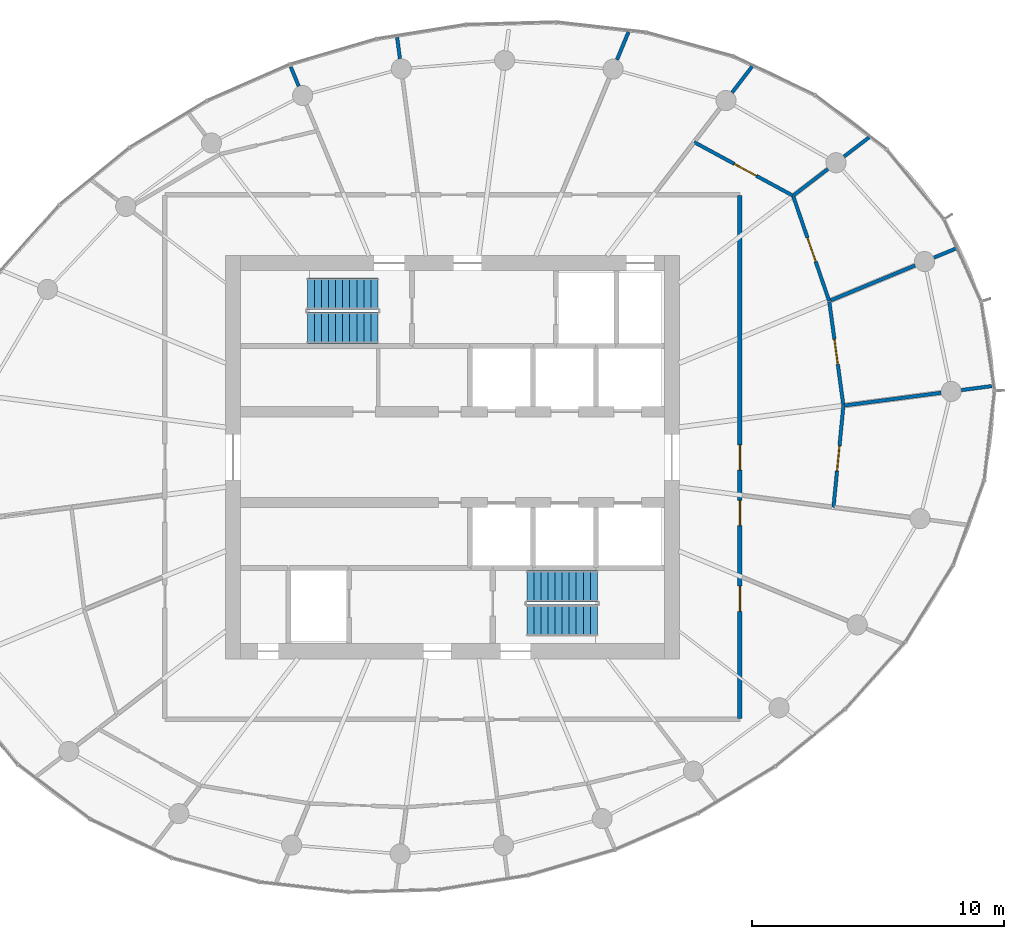
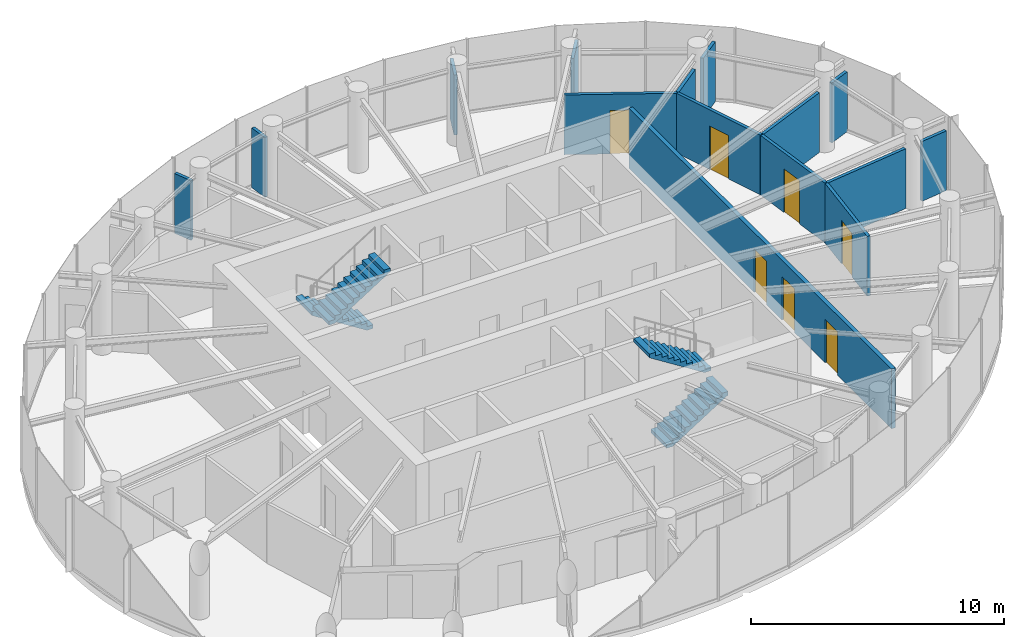
# One storey, part 11 of 13: 15 walls, 7 doors, 4 stair flights, 7 openings, 2 elements without a shape of their own.
"""IFC4 building model written with IfcOpenShell, lengths in metres."""

from ifc_helpers import new_model, si_unit, direction, frame, frame_2d, origin, place, context, subcontext, project, spatial, line, indexed_curve, rectangle, outline, extrude, source, transform, mapped, material, layer, layer_set, type_object, element, fill, aggregate, save


model = new_model("IFC4")

# Units and contexts
model_context = context("Model", 3, precision=1e-05, world=origin(), true_north=direction((0.0, 1.0)))
body_context = subcontext(model_context, "Body", "Model", "MODEL_VIEW")
ifc_project = project(units=[si_unit("LENGTHUNIT", "METRE"), si_unit("AREAUNIT", "SQUARE_METRE"), si_unit("VOLUMEUNIT", "CUBIC_METRE"), si_unit("PLANEANGLEUNIT", "RADIAN"), si_unit("MASSUNIT", "GRAM", prefix="KILO")], contexts=[model_context])

# Site, building, storey
site_placement = place(None, origin())
site = spatial("IfcSite", under=ifc_project, at=site_placement, CompositionType="ELEMENT")
building_placement = place(site_placement, origin())
building = spatial("IfcBuilding", under=site, at=building_placement, Name="Spindrift Exchange Tower", CompositionType="ELEMENT")
storey_placement = place(building_placement, frame((0.0, 0.0, 254.0)))
storey = spatial("IfcBuildingStorey", under=building, at=storey_placement, Name="L62", CompositionType="ELEMENT", Elevation=254.0)

# Wall, openings, doors
ifc_material_1 = material(Name="Fire-rated plasterboard partition", Category="gypsum")
ifc_layer_1 = layer(ifc_material_1, 0.179931640625)
ifc_layer_set_1 = layer_set([ifc_layer_1], Name="W-CORR-180")
wall_type_1 = type_object("IfcWallType", Name="W-CORR-180", PredefinedType="PARTITIONING", material=ifc_layer_set_1)
wall_1_placement = place(storey_placement, frame((63.39990234375, 58.3701171875, 0.0), z_axis=(0.0, 0.0, 1.0), x_axis=(0.0, -1.0, 0.0)))
wall_1 = element("IfcWall", 1, at=wall_1_placement, inside=storey, type_object=wall_type_1, Name="L62 Partition wall 29", PredefinedType="PARTITIONING", context=body_context, shape_type="SweptSolid", body=[
    extrude(rectangle(XDim=20.740234375, YDim=0.179931640625, at=frame_2d((10.3701171875, 0.0))), origin(), (0.0, 0.0, 1.0), 2.8798828125),
])
opening_1_placement = place(wall_1_placement, frame((15.489990234375, 0.0, 0.0)))
opening_1 = element("IfcOpeningElement", 2, at=opening_1_placement, cuts=wall_1, Name="Opening L62-D30", PredefinedType="OPENING", context=body_context, shape_type="SweptSolid", body=[
    extrude(rectangle(XDim=1.0, YDim=2.10009765625, at=frame_2d((0.5, 1.050048828125))), frame((0.0, 0.099853515625, 0.0), z_axis=(0.0, -1.0, 0.0), x_axis=(1.0, 0.0, 0.0)), (0.0, 0.0, 1.0), 0.199951171875),
])
opening_2_placement = place(wall_1_placement, frame((12.090087890625, 0.0, 0.0)))
opening_2 = element("IfcOpeningElement", 3, at=opening_2_placement, cuts=wall_1, Name="Opening L62-D31", PredefinedType="OPENING", context=body_context, shape_type="SweptSolid", body=[
    extrude(rectangle(XDim=1.0, YDim=2.10009765625, at=frame_2d((0.5, 1.050048828125))), frame((0.0, 0.099853515625, 0.0), z_axis=(0.0, -1.0, 0.0), x_axis=(1.0, 0.0, 0.0)), (0.0, 0.0, 1.0), 0.199951171875),
])
opening_3_placement = place(wall_1_placement, frame((9.889892578125, 0.0, 0.0)))
opening_3 = element("IfcOpeningElement", 4, at=opening_3_placement, cuts=wall_1, Name="Opening L62-D32", PredefinedType="OPENING", context=body_context, shape_type="SweptSolid", body=[
    extrude(rectangle(XDim=1.0, YDim=2.10009765625, at=frame_2d((0.5, 1.050048828125))), frame((0.0, 0.099853515625, 0.0), z_axis=(0.0, -1.0, 0.0), x_axis=(1.0, 0.0, 0.0)), (0.0, 0.0, 1.0), 0.199951171875),
])
ifc_material_2 = material(Name="Timber-core fire door", Category="wood")
door_type = type_object("IfcDoorType", Name="DR-ROOM-1000", OperationType="NOTDEFINED", PredefinedType="DOOR", material=ifc_material_2)
shared_shape = source(origin(), body_context, "Body", "SweptSolid", [
    extrude(rectangle(XDim=1.0, YDim=2.10009765625, at=frame_2d((0.5, 1.050048828125))), frame((0.0, 0.02490234375, 0.0), z_axis=(0.0, -1.0, 0.0), x_axis=(1.0, 0.0, 0.0)), (0.0, 0.0, 1.0), 0.050048828125),
])
door_1_placement = place(opening_1_placement, origin())
door_1 = element("IfcDoor", 5, at=door_1_placement, inside=storey, type_object=door_type, Name="L62 Door 30", OperationType="SINGLE_SWING_RIGHT", OverallHeight=2.10009765625, OverallWidth=1.0, PredefinedType="DOOR", context=body_context, shape_type="MappedRepresentation", body=[
    mapped(shared_shape, transform((0.0, 0.0, 0.0), scale=1.0)),
])
fill(opening_1, door_1)
door_2_placement = place(opening_2_placement, origin())
door_2 = element("IfcDoor", 6, at=door_2_placement, inside=storey, type_object=door_type, Name="L62 Door 31", OperationType="SINGLE_SWING_LEFT", OverallHeight=2.10009765625, OverallWidth=1.0, PredefinedType="DOOR", context=body_context, shape_type="MappedRepresentation", body=[
    mapped(shared_shape, transform((0.0, 0.0, 0.0), scale=1.0)),
])
fill(opening_2, door_2)
door_3_placement = place(opening_3_placement, origin())
door_3 = element("IfcDoor", 7, at=door_3_placement, inside=storey, type_object=door_type, Name="L62 Door 32", OperationType="SINGLE_SWING_RIGHT", OverallHeight=2.10009765625, OverallWidth=1.0, PredefinedType="DOOR", context=body_context, shape_type="MappedRepresentation", body=[
    mapped(shared_shape, transform((0.0, 0.0, 0.0), scale=1.0)),
])
fill(opening_3, door_3)

# Wall, opening, door
ifc_layer_2 = layer(ifc_material_1, 0.139892578125)
ifc_layer_set_2 = layer_set([ifc_layer_2], Name="W-PART-140")
wall_type_2 = type_object("IfcWallType", Name="W-PART-140", PredefinedType="PARTITIONING", material=ifc_layer_set_2)
wall_2_placement = place(storey_placement, frame((61.583740234375, 60.48974609375, 0.0), z_axis=(0.0, 0.0, 1.0), x_axis=(0.879105698322, -0.476626867873, 0.0)))
wall_2 = element("IfcWall", 8, at=wall_2_placement, inside=storey, type_object=wall_type_2, Name="L62 Partition wall 35", PredefinedType="PARTITIONING", context=body_context, shape_type="SweptSolid", body=[
    extrude(rectangle(XDim=4.46142578125, YDim=0.139892578125, at=frame_2d((2.230712890625, 0.0))), origin(), (0.0, 0.0, 1.0), 2.8798828125),
])
opening_4_placement = place(wall_2_placement, frame((1.8115234375, 0.0, 0.0)))
opening_4 = element("IfcOpeningElement", 9, at=opening_4_placement, cuts=wall_2, Name="Opening L62-D36", PredefinedType="OPENING", context=body_context, shape_type="SweptSolid", body=[
    extrude(rectangle(XDim=1.0, YDim=2.10009765625, at=frame_2d((0.5, 1.050048828125))), frame((0.0, 0.079833984375, 0.0), z_axis=(0.0, -1.0, 0.0), x_axis=(1.0, 0.0, 0.0)), (0.0, 0.0, 1.0), 0.159912109375),
])
door_4_placement = place(opening_4_placement, origin())
door_4 = element("IfcDoor", 10, at=door_4_placement, inside=storey, type_object=door_type, Name="L62 Door 36", OperationType="SINGLE_SWING_RIGHT", OverallHeight=2.10009765625, OverallWidth=1.0, PredefinedType="DOOR", context=body_context, shape_type="MappedRepresentation", body=[
    mapped(shared_shape, transform((0.0, 0.0, 0.0), scale=1.0)),
])
fill(opening_4, door_4)

wall_3_placement = place(storey_placement, frame((65.515625, 58.335205078125, 0.0), z_axis=(0.0, 0.0, 1.0), x_axis=(0.324784086982, -0.94578818815, 0.0)))
wall_3 = element("IfcWall", 11, at=wall_3_placement, inside=storey, type_object=wall_type_2, Name="L62 Partition wall 36", PredefinedType="PARTITIONING", context=body_context, shape_type="SweptSolid", body=[
    extrude(rectangle(XDim=4.384765625, YDim=0.139892578125, at=frame_2d((2.1923828125, 0.0))), origin(), (0.0, 0.0, 1.0), 2.8798828125),
])
opening_5_placement = place(wall_3_placement, frame((1.734619140625, 0.0, 0.0)))
opening_5 = element("IfcOpeningElement", 12, at=opening_5_placement, cuts=wall_3, Name="Opening L62-D35", PredefinedType="OPENING", context=body_context, shape_type="SweptSolid", body=[
    extrude(rectangle(XDim=1.0, YDim=2.10009765625, at=frame_2d((0.5, 1.050048828125))), frame((0.0, 0.079833984375, 0.0), z_axis=(0.0, -1.0, 0.0), x_axis=(1.0, 0.0, 0.0)), (0.0, 0.0, 1.0), 0.159912109375),
])
door_5_placement = place(opening_5_placement, origin())
door_5 = element("IfcDoor", 13, at=door_5_placement, inside=storey, type_object=door_type, Name="L62 Door 35", OperationType="SINGLE_SWING_LEFT", OverallHeight=2.10009765625, OverallWidth=1.0, PredefinedType="DOOR", context=body_context, shape_type="MappedRepresentation", body=[
    mapped(shared_shape, transform((0.0, 0.0, 0.0), scale=1.0)),
])
fill(opening_5, door_5)

wall_4_placement = place(storey_placement, frame((66.94384765625, 54.158447265625, 0.0), z_axis=(0.0, 0.0, 1.0), x_axis=(0.134607157265, -0.990899042896, 0.0)))
wall_4 = element("IfcWall", 14, at=wall_4_placement, inside=storey, type_object=wall_type_2, Name="L62 Partition wall 40", PredefinedType="PARTITIONING", context=body_context, shape_type="SweptSolid", body=[
    extrude(rectangle(XDim=4.1552734375, YDim=0.139892578125, at=frame_2d((2.07763671875, 0.0))), origin(), (0.0, 0.0, 1.0), 2.8798828125),
])
opening_6_placement = place(wall_4_placement, frame((1.50537109375, 0.0, 0.0)))
opening_6 = element("IfcOpeningElement", 15, at=opening_6_placement, cuts=wall_4, Name="Opening L62-D34", PredefinedType="OPENING", context=body_context, shape_type="SweptSolid", body=[
    extrude(rectangle(XDim=1.0, YDim=2.10009765625, at=frame_2d((0.5, 1.050048828125))), frame((0.0, 0.079833984375, 0.0), z_axis=(0.0, -1.0, 0.0), x_axis=(1.0, 0.0, 0.0)), (0.0, 0.0, 1.0), 0.159912109375),
])
door_6_placement = place(opening_6_placement, origin())
door_6 = element("IfcDoor", 16, at=door_6_placement, inside=storey, type_object=door_type, Name="L62 Door 34", OperationType="SINGLE_SWING_RIGHT", OverallHeight=2.10009765625, OverallWidth=1.0, PredefinedType="DOOR", context=body_context, shape_type="MappedRepresentation", body=[
    mapped(shared_shape, transform((0.0, 0.0, 0.0), scale=1.0)),
])
fill(opening_6, door_6)

wall_5_placement = place(storey_placement, frame((67.500244140625, 50.01123046875, 0.0), z_axis=(0.0, 0.0, 1.0), x_axis=(-0.097182142136, -0.995266613149, 0.0)))
wall_5 = element("IfcWall", 17, at=wall_5_placement, inside=storey, type_object=wall_type_2, Name="L62 Partition wall 42", PredefinedType="PARTITIONING", context=body_context, shape_type="SweptSolid", body=[
    extrude(rectangle(XDim=4.01953125, YDim=0.139892578125, at=frame_2d((2.009765625, 0.0))), origin(), (0.0, 0.0, 1.0), 2.8798828125),
])
opening_7_placement = place(wall_5_placement, frame((1.569580078125, 0.0, 0.0)))
opening_7 = element("IfcOpeningElement", 18, at=opening_7_placement, cuts=wall_5, Name="Opening L62-D33", PredefinedType="OPENING", context=body_context, shape_type="SweptSolid", body=[
    extrude(rectangle(XDim=1.0, YDim=2.10009765625, at=frame_2d((0.5, 1.050048828125))), frame((0.0, 0.079833984375, 0.0), z_axis=(0.0, -1.0, 0.0), x_axis=(1.0, 0.0, 0.0)), (0.0, 0.0, 1.0), 0.159912109375),
])
door_7_placement = place(opening_7_placement, origin())
door_7 = element("IfcDoor", 19, at=door_7_placement, inside=storey, type_object=door_type, Name="L62 Door 33", OperationType="SINGLE_SWING_LEFT", OverallHeight=2.10009765625, OverallWidth=1.0, PredefinedType="DOOR", context=body_context, shape_type="MappedRepresentation", body=[
    mapped(shared_shape, transform((0.0, 0.0, 0.0), scale=1.0)),
])
fill(opening_7, door_7)

# Walls
wall_6_placement = place(storey_placement, frame((67.532958984375, 50.044921875, 0.0), z_axis=(0.0, 0.0, 1.0), x_axis=(0.991448721088, 0.130496871433, 0.0)))
element("IfcWall", 20, at=wall_6_placement, inside=storey, type_object=wall_type_2, Name="L62 Partition wall 45", PredefinedType="PARTITIONING", context=body_context, shape_type="SweptSolid", body=[
    extrude(rectangle(XDim=3.87646484375, YDim=0.139892578125, at=frame_2d((1.938232421875, 0.0))), origin(), (0.0, 0.0, 1.0), 2.8798828125),
])
wall_7_placement = place(storey_placement, frame((67.004638671875, 54.215087890625, 0.0), z_axis=(0.0, 0.0, 1.0), x_axis=(0.923881881036, 0.382677762475, 0.0)))
element("IfcWall", 21, at=wall_7_placement, inside=storey, type_object=wall_type_2, Name="L62 Partition wall 50", PredefinedType="PARTITIONING", context=body_context, shape_type="SweptSolid", body=[
    extrude(rectangle(XDim=3.615966796875, YDim=0.139892578125, at=frame_2d((1.80810546875, 0.0))), origin(), (0.0, 0.0, 1.0), 2.8798828125),
])
wall_8_placement = place(storey_placement, frame((65.529541015625, 58.381591796875, 0.0), z_axis=(0.0, 0.0, 1.0), x_axis=(0.793349348646, 0.608766630986, 0.0)))
element("IfcWall", 22, at=wall_8_placement, inside=storey, type_object=wall_type_2, Name="L62 Partition wall 60", PredefinedType="PARTITIONING", context=body_context, shape_type="SweptSolid", body=[
    extrude(rectangle(XDim=1.712890625, YDim=0.139892578125, at=frame_2d((0.8564453125, 0.0))), origin(), (0.0, 0.0, 1.0), 2.8798828125),
])
wall_9_placement = place(storey_placement, frame((63.09326171875, 62.456787109375, 0.0), z_axis=(0.0, 0.0, 1.0), x_axis=(0.608700288014, 0.793400251683, 0.0)))
element("IfcWall", 23, at=wall_9_placement, inside=storey, type_object=wall_type_2, Name="L62 Partition wall 69", PredefinedType="PARTITIONING", context=body_context, shape_type="SweptSolid", body=[
    extrude(rectangle(XDim=1.296630859375, YDim=0.139892578125, at=frame_2d((0.6484375, 0.0))), origin(), (0.0, 0.0, 1.0), 2.8798828125),
])
wall_10_placement = place(storey_placement, frame((67.530517578125, 59.9169921875, 0.0), z_axis=(0.0, 0.0, 1.0), x_axis=(0.793361818833, 0.608750379399, 0.0)))
element("IfcWall", 24, at=wall_10_placement, inside=storey, type_object=wall_type_2, Name="L62 Partition wall 72", PredefinedType="PARTITIONING", context=body_context, shape_type="SweptSolid", body=[
    extrude(rectangle(XDim=1.253662109375, YDim=0.139892578125, at=frame_2d((0.626953125, 0.0))), origin(), (0.0, 0.0, 1.0), 2.8798828125),
])
wall_11_placement = place(storey_placement, frame((72.178466796875, 50.656494140625, 0.0), z_axis=(0.0, 0.0, 1.0), x_axis=(0.991448836413, 0.13049599525, 0.0)))
element("IfcWall", 25, at=wall_11_placement, inside=storey, type_object=wall_type_2, Name="L62 Partition wall 73", PredefinedType="PARTITIONING", context=body_context, shape_type="SweptSolid", body=[
    extrude(rectangle(XDim=1.218017578125, YDim=0.139892578125, at=frame_2d((0.60888671875, 0.0))), origin(), (0.0, 0.0, 1.0), 2.8798828125),
])
wall_12_placement = place(storey_placement, frame((58.526611328125, 63.7568359375, 0.0), z_axis=(0.0, 0.0, 1.0), x_axis=(0.382762861593, 0.923846627847, 0.0)))
element("IfcWall", 26, at=wall_12_placement, inside=storey, type_object=wall_type_2, Name="L62 Partition wall 76", PredefinedType="PARTITIONING", context=body_context, shape_type="SweptSolid", body=[
    extrude(rectangle(XDim=1.18896484375, YDim=0.139892578125, at=frame_2d((0.594482421875, 0.0))), origin(), (0.0, 0.0, 1.0), 2.8798828125),
])
wall_13_placement = place(storey_placement, frame((71.09375, 55.908935546875, 0.0), z_axis=(0.0, 0.0, 1.0), x_axis=(0.923864621618, 0.382719428462, 0.0)))
element("IfcWall", 27, at=wall_13_placement, inside=storey, type_object=wall_type_2, Name="L62 Partition wall 84", PredefinedType="PARTITIONING", context=body_context, shape_type="SweptSolid", body=[
    extrude(rectangle(XDim=0.9970703125, YDim=0.139892578125, at=frame_2d((0.49853515625, 0.0))), origin(), (0.0, 0.0, 1.0), 2.8798828125),
])
wall_14_placement = place(storey_placement, frame((49.92041015625, 63.797119140625, 0.0), z_axis=(0.0, 0.0, 1.0), x_axis=(-0.130720882624, 0.991419210448, 0.0)))
element("IfcWall", 28, at=wall_14_placement, inside=storey, type_object=wall_type_2, Name="L62 Partition wall 87", PredefinedType="PARTITIONING", context=body_context, shape_type="SweptSolid", body=[
    extrude(rectangle(XDim=0.853515625, YDim=0.139892578125, at=frame_2d((0.4267578125, 0.0))), origin(), (0.0, 0.0, 1.0), 2.8798828125),
])
wall_15_placement = place(storey_placement, frame((45.90771484375, 62.708251953125, 0.0), z_axis=(0.0, 0.0, 1.0), x_axis=(-0.382762017913, 0.923846977396, 0.0)))
element("IfcWall", 29, at=wall_15_placement, inside=storey, type_object=wall_type_2, Name="L62 Partition wall 88", PredefinedType="PARTITIONING", context=body_context, shape_type="SweptSolid", body=[
    extrude(rectangle(XDim=0.823486328125, YDim=0.139892578125, at=frame_2d((0.41162109375, 0.0))), origin(), (0.0, 0.0, 1.0), 2.8798828125),
])

# Stair, stair flights
ifc_material_3 = material(Name="Concrete 50 MPa", Category="concrete")
stair_type = type_object("IfcStairType", Name="ST-1250-R177", PredefinedType="HALF_TURN_STAIR", material=ifc_material_3)
stair_1_placement = place(storey_placement, origin())
stair_1 = element("IfcStair", 30, at=stair_1_placement, inside=storey, type_object=stair_type, Name="L62 Exit stair ST1", PredefinedType="HALF_TURN_STAIR")
stair_flight_type = type_object("IfcStairFlightType", Name="STF-1250-R177", PredefinedType="STRAIGHT", material=ifc_material_3)
stair_flight_1_placement = place(storey_placement, frame((49.050048828125, 54.47509765625, 0.0), z_axis=(0.0, 0.0, 1.0), x_axis=(-1.0, 0.0, 0.0)))
stair_flight_1 = element("IfcStairFlight", 31, at=stair_flight_1_placement, type_object=stair_flight_type, Name="ST1 flight 1", NumberOfRisers=11, NumberOfTreads=10, PredefinedType="STRAIGHT", RiserHeight=0.177272727, TreadLength=0.28, context=body_context, shape_type="SweptSolid", body=[
    extrude(outline(indexed_curve([(0.0, 0.0), (0.0, 0.177734375), (0.2802734375, 0.177734375), (0.2802734375, 0.3544921875), (0.5595703125, 0.3544921875), (0.5595703125, 0.5322265625), (0.83984375, 0.5322265625), (0.83984375, 0.708984375), (1.1201171875, 0.708984375), (1.1201171875, 0.88671875), (1.400390625, 0.88671875), (1.400390625, 1.0634765625), (1.6796875, 1.0634765625), (1.6796875, 1.2412109375), (1.9599609375, 1.2412109375), (1.9599609375, 1.41796875), (2.240234375, 1.41796875), (2.240234375, 1.595703125), (2.51953125, 1.595703125), (2.51953125, 1.7724609375), (2.7998046875, 1.7724609375), (2.7998046875, 1.9501953125), (2.7998046875, 1.595703125), (0.2802734375, 0.0)], segments=[line(1, 2, 3, 4, 5, 6, 7, 8, 9, 10, 11, 12, 13, 14, 15, 16, 17, 18, 19, 20, 21, 22, 23, 24, 1)], self_intersect=False)), frame((0.0, 0.625, 0.0), z_axis=(0.0, -1.0, 0.0), x_axis=(1.0, 0.0, 0.0)), (0.0, 0.0, 1.0), 1.25),
])
stair_flight_2_placement = place(storey_placement, frame((46.25, 53.125, 1.949951171875), z_axis=(0.0, 0.0, 1.0), x_axis=(1.0, 0.0, 0.0)))
stair_flight_2 = element("IfcStairFlight", 32, at=stair_flight_2_placement, type_object=stair_flight_type, Name="ST1 flight 2", NumberOfRisers=11, NumberOfTreads=10, PredefinedType="STRAIGHT", RiserHeight=0.177272727, TreadLength=0.28, context=body_context, shape_type="SweptSolid", body=[
    extrude(outline(indexed_curve([(0.0, 0.0), (0.0, 0.177734375), (0.2802734375, 0.177734375), (0.2802734375, 0.3544921875), (0.5595703125, 0.3544921875), (0.5595703125, 0.5322265625), (0.83984375, 0.5322265625), (0.83984375, 0.708984375), (1.1201171875, 0.708984375), (1.1201171875, 0.88671875), (1.400390625, 0.88671875), (1.400390625, 1.0634765625), (1.6796875, 1.0634765625), (1.6796875, 1.2412109375), (1.9599609375, 1.2412109375), (1.9599609375, 1.41796875), (2.240234375, 1.41796875), (2.240234375, 1.595703125), (2.51953125, 1.595703125), (2.51953125, 1.7724609375), (2.7998046875, 1.7724609375), (2.7998046875, 1.9501953125), (2.7998046875, 1.595703125), (0.2802734375, 0.0)], segments=[line(1, 2, 3, 4, 5, 6, 7, 8, 9, 10, 11, 12, 13, 14, 15, 16, 17, 18, 19, 20, 21, 22, 23, 24, 1)], self_intersect=False)), frame((0.0, 0.625, 0.0), z_axis=(0.0, -1.0, 0.0), x_axis=(1.0, 0.0, 0.0)), (0.0, 0.0, 1.0), 1.25),
])
aggregate(stair_1, [stair_flight_1, stair_flight_2])

stair_2_placement = place(storey_placement, origin())
stair_2 = element("IfcStair", 33, at=stair_2_placement, inside=storey, type_object=stair_type, Name="L62 Exit stair ST2", PredefinedType="HALF_TURN_STAIR")
stair_flight_3_placement = place(storey_placement, frame((54.949951171875, 41.52490234375, 0.0), z_axis=(0.0, 0.0, 1.0), x_axis=(1.0, 0.0, 0.0)))
stair_flight_3 = element("IfcStairFlight", 34, at=stair_flight_3_placement, type_object=stair_flight_type, Name="ST2 flight 1", NumberOfRisers=11, NumberOfTreads=10, PredefinedType="STRAIGHT", RiserHeight=0.177272727, TreadLength=0.28, context=body_context, shape_type="SweptSolid", body=[
    extrude(outline(indexed_curve([(0.0, 0.0), (0.0, 0.177734375), (0.2802734375, 0.177734375), (0.2802734375, 0.3544921875), (0.5595703125, 0.3544921875), (0.5595703125, 0.5322265625), (0.83984375, 0.5322265625), (0.83984375, 0.708984375), (1.1201171875, 0.708984375), (1.1201171875, 0.88671875), (1.400390625, 0.88671875), (1.400390625, 1.0634765625), (1.6796875, 1.0634765625), (1.6796875, 1.2412109375), (1.9599609375, 1.2412109375), (1.9599609375, 1.41796875), (2.240234375, 1.41796875), (2.240234375, 1.595703125), (2.51953125, 1.595703125), (2.51953125, 1.7724609375), (2.7998046875, 1.7724609375), (2.7998046875, 1.9501953125), (2.7998046875, 1.595703125), (0.2802734375, 0.0)], segments=[line(1, 2, 3, 4, 5, 6, 7, 8, 9, 10, 11, 12, 13, 14, 15, 16, 17, 18, 19, 20, 21, 22, 23, 24, 1)], self_intersect=False)), frame((0.0, 0.625, 0.0), z_axis=(0.0, -1.0, 0.0), x_axis=(1.0, 0.0, 0.0)), (0.0, 0.0, 1.0), 1.25),
])
stair_flight_4_placement = place(storey_placement, frame((57.75, 42.875, 1.949951171875), z_axis=(0.0, 0.0, 1.0), x_axis=(-1.0, 0.0, 0.0)))
stair_flight_4 = element("IfcStairFlight", 35, at=stair_flight_4_placement, type_object=stair_flight_type, Name="ST2 flight 2", NumberOfRisers=11, NumberOfTreads=10, PredefinedType="STRAIGHT", RiserHeight=0.177272727, TreadLength=0.28, context=body_context, shape_type="SweptSolid", body=[
    extrude(outline(indexed_curve([(0.0, 0.0), (0.0, 0.177734375), (0.2802734375, 0.177734375), (0.2802734375, 0.3544921875), (0.5595703125, 0.3544921875), (0.5595703125, 0.5322265625), (0.83984375, 0.5322265625), (0.83984375, 0.708984375), (1.1201171875, 0.708984375), (1.1201171875, 0.88671875), (1.400390625, 0.88671875), (1.400390625, 1.0634765625), (1.6796875, 1.0634765625), (1.6796875, 1.2412109375), (1.9599609375, 1.2412109375), (1.9599609375, 1.41796875), (2.240234375, 1.41796875), (2.240234375, 1.595703125), (2.51953125, 1.595703125), (2.51953125, 1.7724609375), (2.7998046875, 1.7724609375), (2.7998046875, 1.9501953125), (2.7998046875, 1.595703125), (0.2802734375, 0.0)], segments=[line(1, 2, 3, 4, 5, 6, 7, 8, 9, 10, 11, 12, 13, 14, 15, 16, 17, 18, 19, 20, 21, 22, 23, 24, 1)], self_intersect=False)), frame((0.0, 0.625, 0.0), z_axis=(0.0, -1.0, 0.0), x_axis=(1.0, 0.0, 0.0)), (0.0, 0.0, 1.0), 1.25),
])
aggregate(stair_2, [stair_flight_3, stair_flight_4])

save(model, "model.ifc")
